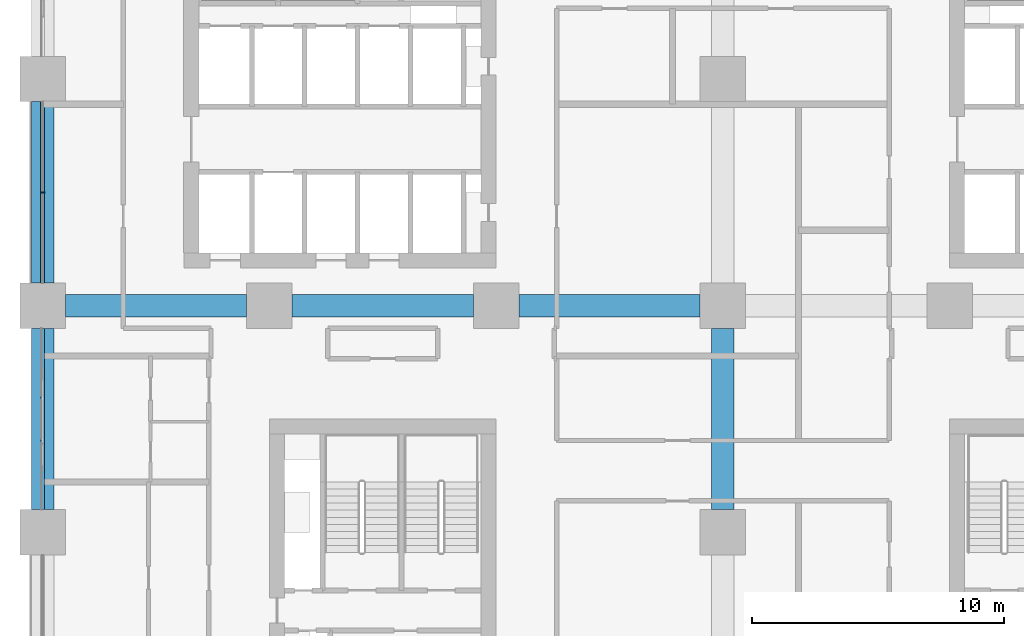
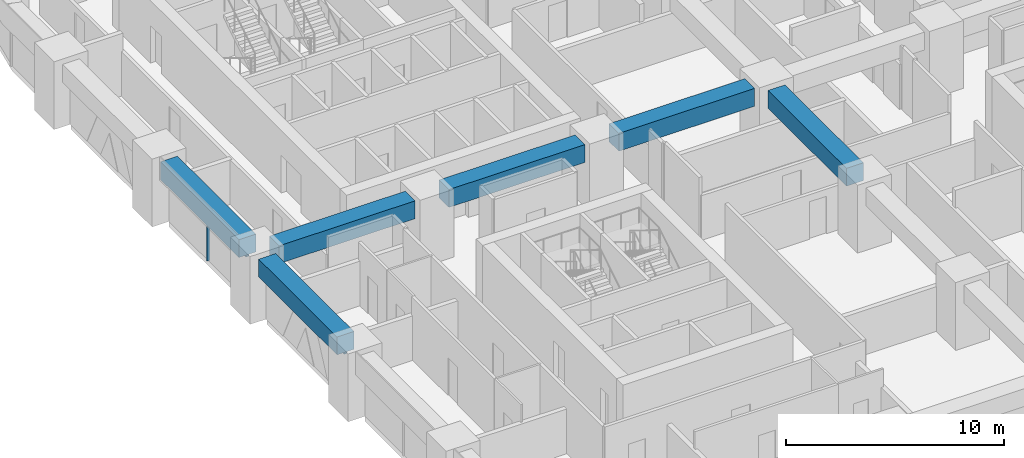
# One storey, part 4 of 21: 6 beams, 3 members, 2 elements without a shape of their own.
"""IFC4 building model written with IfcOpenShell, lengths in metres."""

from ifc_helpers import new_model, si_unit, direction, frame, origin, origin_2d, place, context, subcontext, project, spatial, rectangle, extrude, material, material_profile, profile_set, type_object, element, aggregate, save


model = new_model("IFC4")

# Units and contexts
model_context = context("Model", 3, precision=1e-05, world=origin(), true_north=direction((0.0, 1.0)))
body_context = subcontext(model_context, "Body", "Model", "MODEL_VIEW")
ifc_project = project(units=[si_unit("LENGTHUNIT", "METRE"), si_unit("AREAUNIT", "SQUARE_METRE"), si_unit("VOLUMEUNIT", "CUBIC_METRE"), si_unit("PLANEANGLEUNIT", "RADIAN"), si_unit("MASSUNIT", "GRAM", prefix="KILO")], contexts=[model_context])

# Site, building, storey
site_placement = place(None, origin())
site = spatial("IfcSite", under=ifc_project, at=site_placement, CompositionType="ELEMENT")
building_placement = place(site_placement, origin())
building = spatial("IfcBuilding", under=site, at=building_placement, Name="Tessera Arch", CompositionType="ELEMENT")
storey_placement = place(building_placement, frame((0.0, 0.0, 50.0)))
storey = spatial("IfcBuildingStorey", under=building, at=storey_placement, Name="L10", CompositionType="ELEMENT", Elevation=50.0)

# Curtain wall, members
ifc_material_1 = material(Name="CW1 curtain wall")
curtain_wall_type_1 = type_object("IfcCurtainWallType", Name="CW1 curtain wall", PredefinedType="NOTDEFINED", material=ifc_material_1)
curtain_wall_1_placement = place(storey_placement, origin())
curtain_wall_1 = element("IfcCurtainWall", 1, at=curtain_wall_1_placement, inside=storey, type_object=curtain_wall_type_1, Name="CW1 curtain wall W0.0/2 L10", PredefinedType="NOTDEFINED")
ifc_material_2 = material(Name="Anodised aluminium pale metal", Category="aluminium")
ifc_material_profile_1 = material_profile(ifc_material_2, rectangle(XDim=0.159912109375, YDim=0.06005859375, at=origin_2d()), Name="AL 60x160")
ifc_profile_set_1 = profile_set([ifc_material_profile_1], Name="Anodised aluminium pale metal")
member_type_1 = type_object("IfcMemberType", Name="CW1 mullion", PredefinedType="MULLION", material=ifc_profile_set_1)
member_1_placement = place(storey_placement, frame((0.0, 31.5, 0.0), z_axis=(0.0, 0.0, 1.0), x_axis=(1.0, 0.0, 0.0)))
member_1 = element("IfcMember", 2, at=member_1_placement, type_object=member_type_1, Name="CW1 mullion W0.0/2 1", PredefinedType="MULLION", context=body_context, shape_type="SweptSolid", body=[
    extrude(rectangle(XDim=0.159912109375, YDim=0.06005859375, at=origin_2d()), origin(), (0.0, 0.0, 1.0), 2.39990234375),
])
ifc_material_3 = material(Name="Anodised aluminium pale metal", Category="aluminium")
ifc_material_profile_2 = material_profile(ifc_material_3, rectangle(XDim=0.159912109375, YDim=0.10009765625, at=origin_2d()), Name="AL 160x100")
ifc_profile_set_2 = profile_set([ifc_material_profile_2], Name="Anodised aluminium pale metal")
member_type_2 = type_object("IfcMemberType", Name="CW1 transom", PredefinedType="USERDEFINED", material=ifc_profile_set_2)
member_2_placement = place(storey_placement, frame((0.0, 35.10009765625, 2.449951171875), z_axis=(0.0, -1.0, 0.0), x_axis=(1.0, 0.0, 0.0)))
member_2 = element("IfcMember", 3, at=member_2_placement, type_object=member_type_2, Name="CW1 transom W0.0/2 1.1", ObjectType="TRANSOM", PredefinedType="USERDEFINED", context=body_context, shape_type="SweptSolid", body=[
    extrude(rectangle(XDim=0.159912109375, YDim=0.10009765625, at=origin_2d()), origin(), (0.0, 0.0, 1.0), 7.2001953125),
])
aggregate(curtain_wall_1, [member_1, member_2])

# Curtain wall, member
ifc_material_4 = material(Name="CW3 curtain wall")
curtain_wall_type_2 = type_object("IfcCurtainWallType", Name="CW3 curtain wall", PredefinedType="NOTDEFINED", material=ifc_material_4)
curtain_wall_2_placement = place(storey_placement, origin())
curtain_wall_2 = element("IfcCurtainWall", 4, at=curtain_wall_2_placement, inside=storey, type_object=curtain_wall_type_2, Name="CW3 curtain wall W0.0/3 L10", PredefinedType="NOTDEFINED")
ifc_material_5 = material(Name="Anodised aluminium pale metal", Category="aluminium")
ifc_material_profile_3 = material_profile(ifc_material_5, rectangle(XDim=0.139892578125, YDim=0.10009765625, at=origin_2d()), Name="AL 140x100")
ifc_profile_set_3 = profile_set([ifc_material_profile_3], Name="Anodised aluminium pale metal")
member_type_3 = type_object("IfcMemberType", Name="CW3 transom", PredefinedType="USERDEFINED", material=ifc_profile_set_3)
member_3_placement = place(storey_placement, frame((0.0, 26.10009765625, 2.449951171875), z_axis=(0.0, -1.0, 0.0), x_axis=(1.0, 0.0, 0.0)))
member_3 = element("IfcMember", 5, at=member_3_placement, type_object=member_type_3, Name="CW3 transom W0.0/3 1.1", ObjectType="TRANSOM", PredefinedType="USERDEFINED", context=body_context, shape_type="SweptSolid", body=[
    extrude(rectangle(XDim=0.139892578125, YDim=0.10009765625, at=origin_2d()), origin(), (0.0, 0.0, 1.0), 7.2001953125),
])
aggregate(curtain_wall_2, [member_3])

# Beams
ifc_material_6 = material(Name="Concrete C80/95", Category="concrete")
ifc_material_profile_4 = material_profile(ifc_material_6, rectangle(XDim=0.89990234375, YDim=1.0, at=origin_2d()), Name="RC spandrel beam 900 x 1000 Concrete C80/95")
ifc_profile_set_4 = profile_set([ifc_material_profile_4], Name="Concrete C80/95")
beam_type = type_object("IfcBeamType", Name="RC spandrel beam 900 x 1000 Concrete C80/95", PredefinedType="BEAM", material=ifc_profile_set_4)
for number, where, z_axis, x_axis, name in (
    (6, (0.0, 35.10009765625, 3.0), (0.0, -1.0, 0.0), (1.0, 0.0, 0.0), "Spandrel beam L10 W0.0/2"),
    (7, (0.0, 26.10009765625, 3.0), (0.0, -1.0, 0.0), (1.0, 0.0, 0.0), "Spandrel beam L10 W0.0/3"),
    (8, (27.0, 18.89990234375, 3.0), (0.0, 1.0, 0.0), (-1.0, 0.0, 0.0), "Interface beam L10 I0C4C-C4D"),
    (9, (0.89990234375, 27.0, 3.0), (1.0, 0.0, 0.0), (0.0, 1.0, 0.0), "Interface beam L10 I1C1D-C2D"),
    (10, (9.89990234375, 27.0, 3.0), (1.0, 0.0, 0.0), (0.0, 1.0, 0.0), "Interface beam L10 I1C2D-C3D"),
    (11, (18.89990234375, 27.0, 3.0), (1.0, 0.0, 0.0), (0.0, 1.0, 0.0), "Interface beam L10 I1C3D-C4D"),
):
    element("IfcBeam", number, at=place(storey_placement, frame(where, z_axis=z_axis, x_axis=x_axis)), inside=storey, type_object=beam_type, Name=name, PredefinedType="BEAM", context=body_context, shape_type="SweptSolid", body=[
        extrude(rectangle(XDim=0.89990234375, YDim=1.0, at=origin_2d()), origin(), (0.0, 0.0, 1.0), 7.2001953125),
    ])

save(model, "model.ifc")
